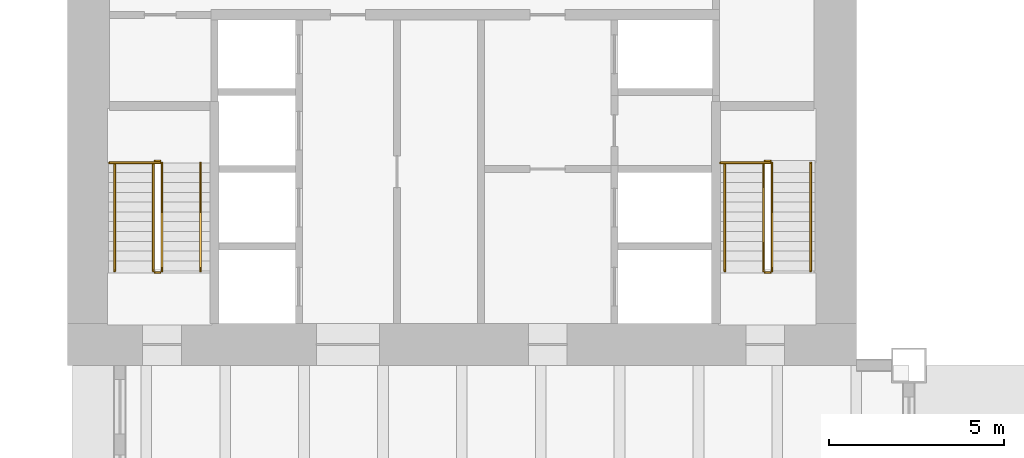
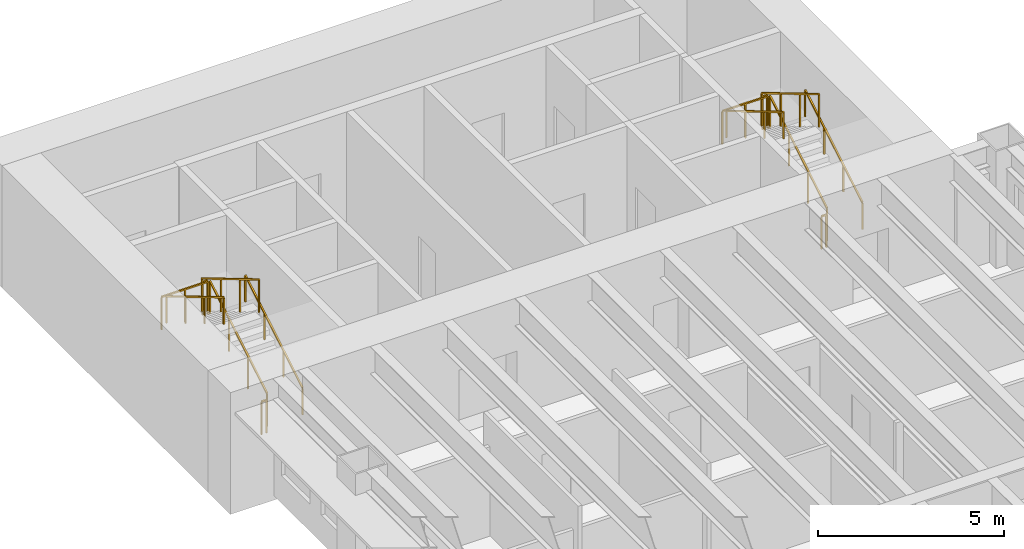
# One storey, part 16 of 16: 14 railings.
"""IFC4 building model written with IfcOpenShell, lengths in metres."""

import ifcopenshell
import ifcopenshell.guid

model = None  # the IFC model being written
_history = None  # IfcOwnerHistory: only IFC2X3 demands one
_inside = {}  # id of a spatial element -> (the spatial element, [elements in it])
_under = {}  # id of a project, library or spatial element -> (it, [spatial elements below it])
_declared = {}  # id of a project -> (the project, [libraries it declares])
_typed = {}  # id of a type object -> (the type object, [elements of that type])
_made_of = {}  # id of a material, layer set ... -> (it, [elements and type objects made of it])


def new_model(schema):
    """Start an empty IFC model of exactly this schema.

    Asked for "IFC4X3", IfcOpenShell would pick the latest addendum, in which some entities
    have other attributes; the version numbers below select the first issue.
    IFC2X3 requires an IfcOwnerHistory on every rooted entity: one is made here for all.
    """
    global model, _history
    if schema == "IFC4X3":
        model = ifcopenshell.file(schema_version=(4, 3, 0, 0))
    else:
        model = ifcopenshell.file(schema=schema)
    _inside.clear()
    _under.clear()
    _declared.clear()
    _typed.clear()
    _made_of.clear()
    _history = None
    if model.schema == "IFC2X3":
        org = make("IfcOrganization", Name="unknown")
        user = make(
            "IfcPersonAndOrganization",
            ThePerson=make("IfcPerson", FamilyName="unknown"),
            TheOrganization=org,
        )
        app = make(
            "IfcApplication",
            ApplicationDeveloper=org,
            Version="unknown",
            ApplicationFullName="unknown",
            ApplicationIdentifier="unknown",
        )
        _history = make(
            "IfcOwnerHistory",
            OwningUser=user,
            OwningApplication=app,
            ChangeAction="ADDED",
            CreationDate=0,
        )
    return model


def make(cls, **values):
    """One entity of the class cls with the attributes given. An attribute that is None is left unset."""
    return model.create_entity(
        cls, **{name: value for name, value in values.items() if value is not None}
    )


def rooted(cls, **values):
    """An entity with a GlobalId (a new one), such as an element, a storey or a relation."""
    return make(cls, GlobalId=ifcopenshell.guid.new(), OwnerHistory=_history, **values)


def si_unit(unit_type, name, prefix=None):
    """IfcSIUnit, for example si_unit("LENGTHUNIT", "METRE", prefix="MILLI")."""
    return make("IfcSIUnit", UnitType=unit_type, Prefix=prefix, Name=name)


def assignment(units):
    """IfcUnitAssignment: the units of a project."""
    return None if units is None else make("IfcUnitAssignment", Units=units)


def point(xyz):
    """IfcCartesianPoint."""
    return None if xyz is None else make("IfcCartesianPoint", Coordinates=xyz)


def direction(xyz):
    """IfcDirection."""
    return None if xyz is None else make("IfcDirection", DirectionRatios=xyz)


def frame(location, z_axis=None, x_axis=None):
    """IfcAxis2Placement3D, a coordinate frame: its origin and axes. An axis left out is left unset."""
    return make(
        "IfcAxis2Placement3D",
        Location=point(location),
        Axis=direction(z_axis),
        RefDirection=direction(x_axis),
    )


def frame_2d(location, x_axis=None):
    """IfcAxis2Placement2D, a coordinate frame in the plane: its origin and x axis."""
    return make(
        "IfcAxis2Placement2D", Location=point(location), RefDirection=direction(x_axis)
    )


def origin():
    """The frame at (0, 0, 0) with its axes left unset."""
    return frame((0.0, 0.0, 0.0))


def origin_2d():
    """The frame at (0, 0) in the plane with its x axis left unset."""
    return frame_2d((0.0, 0.0))


def place(relative_to, where):
    """IfcLocalPlacement: puts the frame where relative to a parent placement (None: the world)."""
    return make(
        "IfcLocalPlacement", PlacementRelTo=relative_to, RelativePlacement=where
    )


def context(
    kind, dimensions, precision=None, world=None, true_north=None, identifier=None
):
    """IfcGeometricRepresentationContext, for example the 3D "Model" context."""
    return make(
        "IfcGeometricRepresentationContext",
        ContextIdentifier=identifier,
        ContextType=kind,
        CoordinateSpaceDimension=dimensions,
        Precision=precision,
        WorldCoordinateSystem=world,
        TrueNorth=true_north,
    )


def subcontext(parent, identifier, kind, view, scale=None):
    """IfcGeometricRepresentationSubContext, for example "Body" below "Model"."""
    return make(
        "IfcGeometricRepresentationSubContext",
        ContextIdentifier=identifier,
        ContextType=kind,
        ParentContext=parent,
        TargetScale=scale,
        TargetView=view,
    )


def project(units=None, contexts=None):
    """IfcProject with its units and contexts."""
    return rooted(
        "IfcProject",
        Name="project",
        RepresentationContexts=contexts,
        UnitsInContext=assignment(units),
    )


def spatial(cls, under=None, at=None, **own):
    """A site, building, storey or space (cls), placed at a placement, below another one or the project."""
    s = rooted(cls, ObjectPlacement=at, **own)
    if under is not None:
        _under.setdefault(under.id(), (under, []))[1].append(s)
    return s


def profile(cls, at=None, kind="AREA", **sizes):
    """A parametric profile (cls). Its sizes go by their IFC names, for example OverallWidth=200.0."""
    return make(cls, ProfileType=kind, Position=at, **sizes)


def rectangle(**sizes):
    """IfcRectangleProfileDef."""
    return profile("IfcRectangleProfileDef", **sizes)


def extrude(swept, where, along, depth):
    """IfcExtrudedAreaSolid: the profile swept, set in the frame where, extruded along a direction by depth."""
    return make(
        "IfcExtrudedAreaSolid",
        SweptArea=swept,
        Position=where,
        ExtrudedDirection=direction(along),
        Depth=depth,
    )


def shape(context_of_items, identifier, shape_type, items):
    """IfcShapeRepresentation: the items that make up one representation, for example the "Body"."""
    return make(
        "IfcShapeRepresentation",
        ContextOfItems=context_of_items,
        RepresentationIdentifier=identifier,
        RepresentationType=shape_type,
        Items=items,
    )


def material(Name=None, Category=None):
    """IfcMaterial."""
    return make("IfcMaterial", Name=Name, Category=Category)


def made_of(thing, what):
    """Note that an element or type object is made of a material, layer set ...; save() writes the relation."""
    if what is not None:
        _made_of.setdefault(what.id(), (what, []))[1].append(thing)
    return thing


def type_object(cls, material=None, **own):
    """A type object (cls), such as IfcWallType, which elements share."""
    return made_of(rooted(cls, **own), material)


def element(
    cls,
    number,
    at=None,
    inside=None,
    cuts=None,
    type_object=None,
    material=None,
    context=None,
    identifier="Body",
    shape_type=None,
    held_by="IfcProductDefinitionShape",
    body=None,
    shapes=None,
    **own,
):
    """One element of the class cls, such as IfcWall. Its Tag is "e" and its number.

    at: its placement. inside: the storey or other place that contains it. cuts: it is an
    opening in that element (IfcRelVoidsElement). A single representation is given by context,
    identifier, shape_type and body (its items); several are given by shapes. held_by: the class
    of the entity that holds the representations. save() writes the other relations.
    """
    e = rooted(cls, Tag="e%d" % number, ObjectPlacement=at, **own)
    if body is not None:
        shapes = [shape(context, identifier, shape_type, body)]
    if shapes is not None:
        e.Representation = make(held_by, Representations=shapes)
    if inside is not None:
        _inside.setdefault(inside.id(), (inside, []))[1].append(e)
    if cuts is not None:
        rooted(
            "IfcRelVoidsElement", RelatingBuildingElement=cuts, RelatedOpeningElement=e
        )
    if type_object is not None:
        _typed.setdefault(type_object.id(), (type_object, []))[1].append(e)
    return made_of(e, material)


def aggregate(whole, parts):
    """IfcRelAggregates: a whole, such as a stair, and the parts it consists of."""
    return rooted("IfcRelAggregates", RelatingObject=whole, RelatedObjects=parts)


def save(model, path):
    """Write the relations noted so far, then the file.

    IfcRelAggregates (storeys below a building ...), IfcRelContainedInSpatialStructure (elements
    in a storey), IfcRelDefinesByType, IfcRelAssociatesMaterial and IfcRelDeclares: one each for
    every whole, place, type object, material and project.
    """
    for whole, parts in _under.values():
        aggregate(whole, parts)
    for where, things in _inside.values():
        rooted(
            "IfcRelContainedInSpatialStructure",
            RelatedElements=things,
            RelatingStructure=where,
        )
    for kind, things in _typed.values():
        rooted("IfcRelDefinesByType", RelatedObjects=things, RelatingType=kind)
    for what, things in _made_of.values():
        rooted("IfcRelAssociatesMaterial", RelatedObjects=things, RelatingMaterial=what)
    for by, libraries in _declared.values():
        rooted("IfcRelDeclares", RelatingContext=by, RelatedDefinitions=libraries)
    model.write(path)


model = new_model("IFC4")

# Units and contexts
model_context = context("Model", 3, precision=1e-05, world=origin(), true_north=direction((0.0, 1.0)))
body_context = subcontext(model_context, "Body", "Model", "MODEL_VIEW")
ifc_project = project(units=[si_unit("LENGTHUNIT", "METRE"), si_unit("AREAUNIT", "SQUARE_METRE"), si_unit("VOLUMEUNIT", "CUBIC_METRE"), si_unit("PLANEANGLEUNIT", "RADIAN"), si_unit("MASSUNIT", "GRAM", prefix="KILO")], contexts=[model_context])

# Site, building, storey
site_placement = place(None, origin())
site = spatial("IfcSite", under=ifc_project, at=site_placement, CompositionType="ELEMENT")
building_placement = place(site_placement, origin())
building = spatial("IfcBuilding", under=site, at=building_placement, Name="Sennacour Bend Tower", CompositionType="ELEMENT")
storey_placement = place(building_placement, frame((0.0, 0.0, 115.0)))
storey = spatial("IfcBuildingStorey", under=building, at=storey_placement, Name="L26", CompositionType="ELEMENT", Elevation=115.0)

# Railings
ifc_material = material(Name="Stainless steel", Category="steel")
railing_type_1 = type_object("IfcRailingType", Name="RL-GUARD-1100", PredefinedType="GUARDRAIL", material=ifc_material)
railing_1_placement = place(storey_placement, frame((2.699951171875, 38.699951171875, 0.166748046875)))
element("IfcRailing", 1, at=railing_1_placement, inside=storey, type_object=railing_type_1, Name="L26 SB1 stair guard 1", PredefinedType="GUARDRAIL", context=body_context, shape_type="SweptSolid", body=[
    extrude(rectangle(XDim=0.048095703125, YDim=0.048095703125, at=origin_2d()), frame((0.0, 0.0, 1.076171875), z_axis=(0.0, 0.859308565015, 0.511457515432), x_axis=(-1.0, 0.0, 0.0)), (0.0, 0.0, 1.0), 3.58447265625),
    extrude(rectangle(XDim=0.0419921875, YDim=0.0419921875, at=origin_2d()), origin(), (0.0, 0.0, 1.0), 1.052001953125),
    extrude(rectangle(XDim=0.0419921875, YDim=0.0419921875, at=origin_2d()), frame((0.0, 1.026611328125, 0.611083984375)), (0.0, 0.0, 1.0), 1.052001953125),
    extrude(rectangle(XDim=0.0419921875, YDim=0.0419921875, at=origin_2d()), frame((0.0, 2.053466796875, 1.22216796875)), (0.0, 0.0, 1.0), 1.052001953125),
    extrude(rectangle(XDim=0.0419921875, YDim=0.0419921875, at=origin_2d()), frame((0.0, 3.080078125, 1.833251953125)), (0.0, 0.0, 1.0), 1.052001953125),
])
railing_2_placement = place(storey_placement, frame((2.64990234375, 41.830078125, 2.0)))
element("IfcRailing", 2, at=railing_2_placement, inside=storey, type_object=railing_type_1, Name="L26 SB1 stair guard 2", PredefinedType="GUARDRAIL", context=body_context, shape_type="SweptSolid", body=[
    extrude(rectangle(XDim=0.048095703125, YDim=0.048095703125, at=origin_2d()), frame((0.0, 0.0, 1.076171875), z_axis=(-1.0, 0.0, 0.0), x_axis=(0.0, -1.0, 0.0)), (0.0, 0.0, 1.0), 0.14990234375),
    extrude(rectangle(XDim=0.0419921875, YDim=0.0419921875, at=origin_2d()), origin(), (0.0, 0.0, 1.0), 1.052001953125),
    extrude(rectangle(XDim=0.0419921875, YDim=0.0419921875, at=origin_2d()), frame((-0.14990234375, 0.0, 0.0)), (0.0, 0.0, 1.0), 1.052001953125),
])
railing_3_placement = place(storey_placement, frame((2.449951171875, 41.780029296875, 2.166748046875)))
element("IfcRailing", 3, at=railing_3_placement, inside=storey, type_object=railing_type_1, Name="L26 SB1 stair guard 4", PredefinedType="GUARDRAIL", context=body_context, shape_type="SweptSolid", body=[
    extrude(rectangle(XDim=0.048095703125, YDim=0.048095703125, at=origin_2d()), frame((0.0, 0.0, 1.076171875), z_axis=(0.0, -0.859308565015, 0.511457515432), x_axis=(1.0, 0.0, 0.0)), (0.0, 0.0, 1.0), 3.58447265625),
    extrude(rectangle(XDim=0.0419921875, YDim=0.0419921875, at=origin_2d()), origin(), (0.0, 0.0, 1.0), 1.052001953125),
    extrude(rectangle(XDim=0.0419921875, YDim=0.0419921875, at=origin_2d()), frame((0.0, -1.026611328125, 0.611083984375)), (0.0, 0.0, 1.0), 1.052001953125),
    extrude(rectangle(XDim=0.0419921875, YDim=0.0419921875, at=origin_2d()), frame((0.0, -2.053466796875, 1.22216796875)), (0.0, 0.0, 1.0), 1.052001953125),
    extrude(rectangle(XDim=0.0419921875, YDim=0.0419921875, at=origin_2d()), frame((0.0, -3.080078125, 1.833251953125)), (0.0, 0.0, 1.0), 1.052001953125),
])
railing_4_placement = place(storey_placement, frame((2.64990234375, 38.64990234375, 0.0)))
element("IfcRailing", 4, at=railing_4_placement, inside=storey, type_object=railing_type_1, Name="L26 SB1 stair guard 5", PredefinedType="GUARDRAIL", context=body_context, shape_type="SweptSolid", body=[
    extrude(rectangle(XDim=0.048095703125, YDim=0.048095703125, at=origin_2d()), frame((0.0, 0.0, 1.076171875), z_axis=(-1.0, 0.0, 0.0), x_axis=(0.0, -1.0, 0.0)), (0.0, 0.0, 1.0), 0.14990234375),
    extrude(rectangle(XDim=0.0419921875, YDim=0.0419921875, at=origin_2d()), origin(), (0.0, 0.0, 1.0), 1.052001953125),
    extrude(rectangle(XDim=0.0419921875, YDim=0.0419921875, at=origin_2d()), frame((-0.14990234375, 0.0, 0.0)), (0.0, 0.0, 1.0), 1.052001953125),
])
railing_5_placement = place(storey_placement, frame((2.64990234375, 41.780029296875, 2.0)))
element("IfcRailing", 5, at=railing_5_placement, inside=storey, type_object=railing_type_1, Name="L26 SB1 landing edge guard 49", PredefinedType="GUARDRAIL", context=body_context, shape_type="SweptSolid", body=[
    extrude(rectangle(XDim=0.048095703125, YDim=0.048095703125, at=origin_2d()), frame((0.0, 0.0, 1.076171875), z_axis=(-1.0, 0.0, 0.0), x_axis=(0.0, -1.0, 0.0)), (0.0, 0.0, 1.0), 1.449951171875),
    extrude(rectangle(XDim=0.0419921875, YDim=0.0419921875, at=origin_2d()), origin(), (0.0, 0.0, 1.0), 1.052001953125),
    extrude(rectangle(XDim=0.0419921875, YDim=0.0419921875, at=origin_2d()), frame((-0.72509765625, 0.0, 0.0)), (0.0, 0.0, 1.0), 1.052001953125),
    extrude(rectangle(XDim=0.0419921875, YDim=0.0419921875, at=origin_2d()), frame((-1.449951171875, 0.0, 0.0)), (0.0, 0.0, 1.0), 1.052001953125),
])
railing_6_placement = place(storey_placement, frame((20.10009765625, 38.699951171875, 0.166748046875)))
element("IfcRailing", 6, at=railing_6_placement, inside=storey, type_object=railing_type_1, Name="L26 SB2 stair guard 1", PredefinedType="GUARDRAIL", context=body_context, shape_type="SweptSolid", body=[
    extrude(rectangle(XDim=0.048095703125, YDim=0.048095703125, at=origin_2d()), frame((0.0, 0.0, 1.076171875), z_axis=(0.0, 0.859308565015, 0.511457515432), x_axis=(-1.0, 0.0, 0.0)), (0.0, 0.0, 1.0), 3.58447265625),
    extrude(rectangle(XDim=0.0419921875, YDim=0.0419921875, at=origin_2d()), origin(), (0.0, 0.0, 1.0), 1.052001953125),
    extrude(rectangle(XDim=0.0419921875, YDim=0.0419921875, at=origin_2d()), frame((0.0, 1.026611328125, 0.611083984375)), (0.0, 0.0, 1.0), 1.052001953125),
    extrude(rectangle(XDim=0.0419921875, YDim=0.0419921875, at=origin_2d()), frame((0.0, 2.053466796875, 1.22216796875)), (0.0, 0.0, 1.0), 1.052001953125),
    extrude(rectangle(XDim=0.0419921875, YDim=0.0419921875, at=origin_2d()), frame((0.0, 3.080078125, 1.833251953125)), (0.0, 0.0, 1.0), 1.052001953125),
])
railing_7_placement = place(storey_placement, frame((20.050048828125, 41.830078125, 2.0)))
element("IfcRailing", 7, at=railing_7_placement, inside=storey, type_object=railing_type_1, Name="L26 SB2 stair guard 2", PredefinedType="GUARDRAIL", context=body_context, shape_type="SweptSolid", body=[
    extrude(rectangle(XDim=0.048095703125, YDim=0.048095703125, at=origin_2d()), frame((0.0, 0.0, 1.076171875), z_axis=(-1.0, 0.0, 0.0), x_axis=(0.0, -1.0, 0.0)), (0.0, 0.0, 1.0), 0.150146484375),
    extrude(rectangle(XDim=0.0419921875, YDim=0.0419921875, at=origin_2d()), origin(), (0.0, 0.0, 1.0), 1.052001953125),
    extrude(rectangle(XDim=0.0419921875, YDim=0.0419921875, at=origin_2d()), frame((-0.150146484375, 0.0, 0.0)), (0.0, 0.0, 1.0), 1.052001953125),
])
railing_8_placement = place(storey_placement, frame((19.85009765625, 41.780029296875, 2.166748046875)))
element("IfcRailing", 8, at=railing_8_placement, inside=storey, type_object=railing_type_1, Name="L26 SB2 stair guard 4", PredefinedType="GUARDRAIL", context=body_context, shape_type="SweptSolid", body=[
    extrude(rectangle(XDim=0.048095703125, YDim=0.048095703125, at=origin_2d()), frame((0.0, 0.0, 1.076171875), z_axis=(0.0, -0.859308565015, 0.511457515432), x_axis=(1.0, 0.0, 0.0)), (0.0, 0.0, 1.0), 3.58447265625),
    extrude(rectangle(XDim=0.0419921875, YDim=0.0419921875, at=origin_2d()), origin(), (0.0, 0.0, 1.0), 1.052001953125),
    extrude(rectangle(XDim=0.0419921875, YDim=0.0419921875, at=origin_2d()), frame((0.0, -1.026611328125, 0.611083984375)), (0.0, 0.0, 1.0), 1.052001953125),
    extrude(rectangle(XDim=0.0419921875, YDim=0.0419921875, at=origin_2d()), frame((0.0, -2.053466796875, 1.22216796875)), (0.0, 0.0, 1.0), 1.052001953125),
    extrude(rectangle(XDim=0.0419921875, YDim=0.0419921875, at=origin_2d()), frame((0.0, -3.080078125, 1.833251953125)), (0.0, 0.0, 1.0), 1.052001953125),
])
railing_9_placement = place(storey_placement, frame((20.050048828125, 38.64990234375, 0.0)))
element("IfcRailing", 9, at=railing_9_placement, inside=storey, type_object=railing_type_1, Name="L26 SB2 stair guard 5", PredefinedType="GUARDRAIL", context=body_context, shape_type="SweptSolid", body=[
    extrude(rectangle(XDim=0.048095703125, YDim=0.048095703125, at=origin_2d()), frame((0.0, 0.0, 1.076171875), z_axis=(-1.0, 0.0, 0.0), x_axis=(0.0, -1.0, 0.0)), (0.0, 0.0, 1.0), 0.150146484375),
    extrude(rectangle(XDim=0.0419921875, YDim=0.0419921875, at=origin_2d()), origin(), (0.0, 0.0, 1.0), 1.052001953125),
    extrude(rectangle(XDim=0.0419921875, YDim=0.0419921875, at=origin_2d()), frame((-0.150146484375, 0.0, 0.0)), (0.0, 0.0, 1.0), 1.052001953125),
])
railing_10_placement = place(storey_placement, frame((20.050048828125, 41.780029296875, 2.0)))
element("IfcRailing", 10, at=railing_10_placement, inside=storey, type_object=railing_type_1, Name="L26 SB2 landing edge guard 39", PredefinedType="GUARDRAIL", context=body_context, shape_type="SweptSolid", body=[
    extrude(rectangle(XDim=0.048095703125, YDim=0.048095703125, at=origin_2d()), frame((0.0, 0.0, 1.076171875), z_axis=(-1.0, 0.0, 0.0), x_axis=(0.0, -1.0, 0.0)), (0.0, 0.0, 1.0), 1.425048828125),
    extrude(rectangle(XDim=0.0419921875, YDim=0.0419921875, at=origin_2d()), origin(), (0.0, 0.0, 1.0), 1.052001953125),
    extrude(rectangle(XDim=0.0419921875, YDim=0.0419921875, at=origin_2d()), frame((-0.71240234375, 0.0, 0.0)), (0.0, 0.0, 1.0), 1.052001953125),
    extrude(rectangle(XDim=0.0419921875, YDim=0.0419921875, at=origin_2d()), frame((-1.425048828125, 0.0, 0.0)), (0.0, 0.0, 1.0), 1.052001953125),
])
railing_type_2 = type_object("IfcRailingType", Name="RL-HANDRAIL-900", PredefinedType="HANDRAIL", material=ifc_material)
railing_11_placement = place(storey_placement, frame((3.800048828125, 38.699951171875, 0.166748046875)))
element("IfcRailing", 11, at=railing_11_placement, inside=storey, type_object=railing_type_2, Name="L26 SB1 stair handrail 1", PredefinedType="HANDRAIL", context=body_context, shape_type="SweptSolid", body=[
    extrude(rectangle(XDim=0.048095703125, YDim=0.048095703125, at=origin_2d()), frame((0.0, 0.0, 0.8759765625), z_axis=(0.0, 0.859308565015, 0.511457515432), x_axis=(-1.0, 0.0, 0.0)), (0.0, 0.0, 1.0), 3.58447265625),
    extrude(rectangle(XDim=0.0419921875, YDim=0.0419921875, at=origin_2d()), origin(), (0.0, 0.0, 1.0), 0.851806640625),
    extrude(rectangle(XDim=0.0419921875, YDim=0.0419921875, at=origin_2d()), frame((0.0, 1.026611328125, 0.611083984375)), (0.0, 0.0, 1.0), 0.851806640625),
    extrude(rectangle(XDim=0.0419921875, YDim=0.0419921875, at=origin_2d()), frame((0.0, 2.053466796875, 1.22216796875)), (0.0, 0.0, 1.0), 0.851806640625),
    extrude(rectangle(XDim=0.0419921875, YDim=0.0419921875, at=origin_2d()), frame((0.0, 3.080078125, 1.833251953125)), (0.0, 0.0, 1.0), 0.851806640625),
])
railing_12_placement = place(storey_placement, frame((1.35009765625, 41.780029296875, 2.166748046875)))
element("IfcRailing", 12, at=railing_12_placement, inside=storey, type_object=railing_type_2, Name="L26 SB1 stair handrail 2", PredefinedType="HANDRAIL", context=body_context, shape_type="SweptSolid", body=[
    extrude(rectangle(XDim=0.048095703125, YDim=0.048095703125, at=origin_2d()), frame((0.0, 0.0, 0.8759765625), z_axis=(0.0, -0.859308565015, 0.511457515432), x_axis=(1.0, 0.0, 0.0)), (0.0, 0.0, 1.0), 3.58447265625),
    extrude(rectangle(XDim=0.0419921875, YDim=0.0419921875, at=origin_2d()), origin(), (0.0, 0.0, 1.0), 0.851806640625),
    extrude(rectangle(XDim=0.0419921875, YDim=0.0419921875, at=origin_2d()), frame((0.0, -1.026611328125, 0.611083984375)), (0.0, 0.0, 1.0), 0.851806640625),
    extrude(rectangle(XDim=0.0419921875, YDim=0.0419921875, at=origin_2d()), frame((0.0, -2.053466796875, 1.22216796875)), (0.0, 0.0, 1.0), 0.851806640625),
    extrude(rectangle(XDim=0.0419921875, YDim=0.0419921875, at=origin_2d()), frame((0.0, -3.080078125, 1.833251953125)), (0.0, 0.0, 1.0), 0.851806640625),
])
railing_13_placement = place(storey_placement, frame((21.199951171875, 38.699951171875, 0.166748046875)))
element("IfcRailing", 13, at=railing_13_placement, inside=storey, type_object=railing_type_2, Name="L26 SB2 stair handrail 1", PredefinedType="HANDRAIL", context=body_context, shape_type="SweptSolid", body=[
    extrude(rectangle(XDim=0.048095703125, YDim=0.048095703125, at=origin_2d()), frame((0.0, 0.0, 0.8759765625), z_axis=(0.0, 0.859308565015, 0.511457515432), x_axis=(-1.0, 0.0, 0.0)), (0.0, 0.0, 1.0), 3.58447265625),
    extrude(rectangle(XDim=0.0419921875, YDim=0.0419921875, at=origin_2d()), origin(), (0.0, 0.0, 1.0), 0.851806640625),
    extrude(rectangle(XDim=0.0419921875, YDim=0.0419921875, at=origin_2d()), frame((0.0, 1.026611328125, 0.611083984375)), (0.0, 0.0, 1.0), 0.851806640625),
    extrude(rectangle(XDim=0.0419921875, YDim=0.0419921875, at=origin_2d()), frame((0.0, 2.053466796875, 1.22216796875)), (0.0, 0.0, 1.0), 0.851806640625),
    extrude(rectangle(XDim=0.0419921875, YDim=0.0419921875, at=origin_2d()), frame((0.0, 3.080078125, 1.833251953125)), (0.0, 0.0, 1.0), 0.851806640625),
])
railing_14_placement = place(storey_placement, frame((18.75, 41.780029296875, 2.166748046875)))
element("IfcRailing", 14, at=railing_14_placement, inside=storey, type_object=railing_type_2, Name="L26 SB2 stair handrail 2", PredefinedType="HANDRAIL", context=body_context, shape_type="SweptSolid", body=[
    extrude(rectangle(XDim=0.048095703125, YDim=0.048095703125, at=origin_2d()), frame((0.0, 0.0, 0.8759765625), z_axis=(0.0, -0.859308565015, 0.511457515432), x_axis=(1.0, 0.0, 0.0)), (0.0, 0.0, 1.0), 3.58447265625),
    extrude(rectangle(XDim=0.0419921875, YDim=0.0419921875, at=origin_2d()), origin(), (0.0, 0.0, 1.0), 0.851806640625),
    extrude(rectangle(XDim=0.0419921875, YDim=0.0419921875, at=origin_2d()), frame((0.0, -1.026611328125, 0.611083984375)), (0.0, 0.0, 1.0), 0.851806640625),
    extrude(rectangle(XDim=0.0419921875, YDim=0.0419921875, at=origin_2d()), frame((0.0, -2.053466796875, 1.22216796875)), (0.0, 0.0, 1.0), 0.851806640625),
    extrude(rectangle(XDim=0.0419921875, YDim=0.0419921875, at=origin_2d()), frame((0.0, -3.080078125, 1.833251953125)), (0.0, 0.0, 1.0), 0.851806640625),
])

save(model, "model.ifc")
